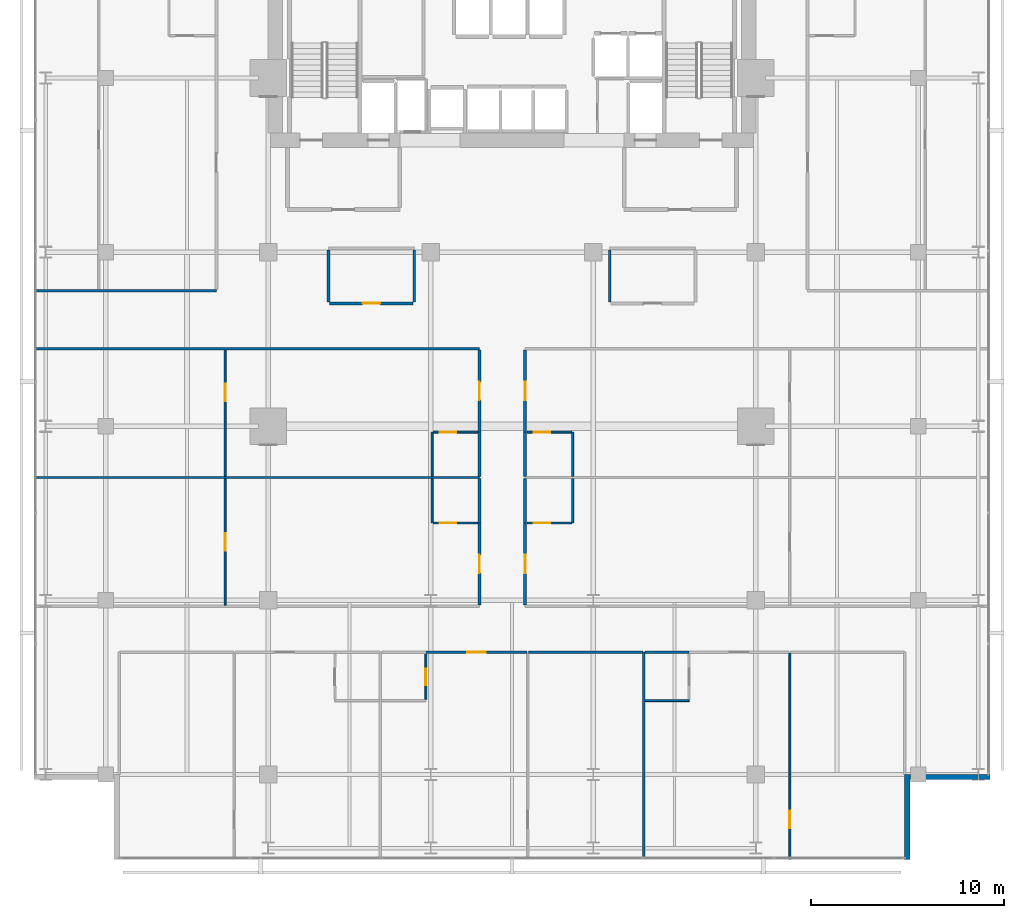
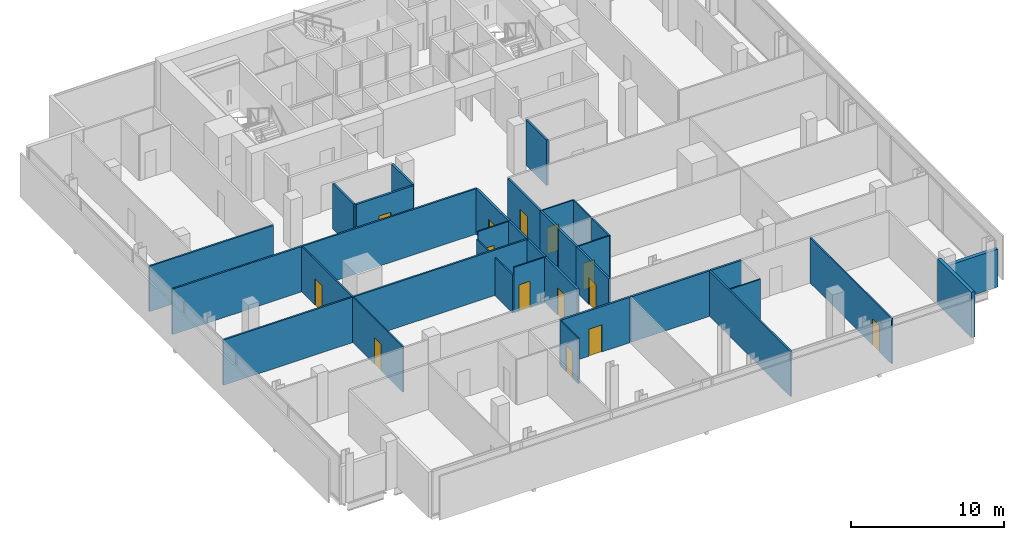
# One storey, part 27 of 32: 34 walls, 14 doors, 14 openings.
"""IFC4 building model written with IfcOpenShell, lengths in metres."""

from ifc_helpers import new_model, si_unit, direction, frame, frame_2d, origin, place, context, subcontext, project, spatial, rectangle, extrude, material, layer, layer_set, type_object, element, fill, save


model = new_model("IFC4")

# Units and contexts
model_context = context("Model", 3, precision=1e-05, world=origin(), true_north=direction((0.0, 1.0)))
body_context = subcontext(model_context, "Body", "Model", "MODEL_VIEW")
ifc_project = project(units=[si_unit("LENGTHUNIT", "METRE"), si_unit("AREAUNIT", "SQUARE_METRE"), si_unit("VOLUMEUNIT", "CUBIC_METRE"), si_unit("PLANEANGLEUNIT", "RADIAN"), si_unit("MASSUNIT", "GRAM", prefix="KILO")], contexts=[model_context])

# Site, building, storey
site_placement = place(None, origin())
site = spatial("IfcSite", under=ifc_project, at=site_placement, CompositionType="ELEMENT")
building_placement = place(site_placement, origin())
building = spatial("IfcBuilding", under=site, at=building_placement, Name="Maruvema Waterfront Hotel and Observation Tower", CompositionType="ELEMENT")
storey_placement = place(building_placement, frame((0.0, 0.0, 165.89990234375)))
storey = spatial("IfcBuildingStorey", under=building, at=storey_placement, Name="L40", CompositionType="ELEMENT", Elevation=165.89990234375)

# Walls
ifc_material_1 = material(Name="Twin-stud acoustic gypsum drywall", Category="gypsum")
ifc_layer_1 = layer(ifc_material_1, 0.14990234375, Name="Acoustic Corridor and Suite Demising Wall 150 mm")
ifc_layer_set_1 = layer_set([ifc_layer_1], Name="Twin-stud acoustic gypsum drywall")
wall_type_1 = type_object("IfcWallType", Name="Acoustic Corridor and Suite Demising Wall 150 mm", PredefinedType="PARTITIONING", material=ifc_layer_set_1)
for number, where, z_axis, x_axis, name in (
    (1, (28.320068359375, 33.429931640625, 0.0), (0.0, 0.0, 1.0), (0.0, 1.0, 0.0), "L40 L40-M1 West Wall 018"),
    (2, (32.75, 33.429931640625, 0.0), (0.0, 0.0, 1.0), (0.0, 1.0, 0.0), "L40 L40-M1 East Wall 019"),
):
    element("IfcWall", number, at=place(storey_placement, frame(where, z_axis=z_axis, x_axis=x_axis)), inside=storey, type_object=wall_type_1, Name=name, PredefinedType="PARTITIONING", context=body_context, shape_type="SweptSolid", body=[
        extrude(rectangle(XDim=2.690185546875, YDim=0.14990234375, at=frame_2d((1.34521484375, 0.0))), origin(), (0.0, 0.0, 1.0), 3.610107421875),
    ])

# Wall, opening, door
wall_1_placement = place(storey_placement, frame((28.3798828125, 33.35009765625, 0.0), z_axis=(0.0, 0.0, 1.0), x_axis=(1.0, 0.0, 0.0)))
wall_1 = element("IfcWall", 3, at=wall_1_placement, inside=storey, type_object=wall_type_1, Name="L40 L40-M1 Front 1 020", PredefinedType="PARTITIONING", context=body_context, shape_type="SweptSolid", body=[
    extrude(rectangle(XDim=4.31005859375, YDim=0.14990234375, at=frame_2d((2.155029296875, 0.0))), origin(), (0.0, 0.0, 1.0), 3.610107421875),
])
opening_1_placement = place(wall_1_placement, frame((1.705078125, 0.0, 0.0)))
opening_1 = element("IfcOpeningElement", 4, at=opening_1_placement, cuts=wall_1, Name="Opening DR-090", PredefinedType="OPENING", context=body_context, shape_type="SweptSolid", body=[
    extrude(rectangle(XDim=0.89990234375, YDim=2.10009765625, at=frame_2d((0.449951171875, 1.050048828125))), frame((0.0, 0.0849609375, 0.0), z_axis=(0.0, -1.0, 0.0), x_axis=(1.0, 0.0, 0.0)), (0.0, 0.0, 1.0), 0.169921875),
])
ifc_material_2 = material(Name="Solid-core lacquered timber leaf", Category="wood")
door_type_1 = type_object("IfcDoorType", Name="Accessible Toilet and Room Door 900x2100 mm", OperationType="NOTDEFINED", PredefinedType="DOOR", material=ifc_material_2)
door_1_placement = place(opening_1_placement, frame((0.89990234375, 0.0, 0.0), z_axis=(0.0, 0.0, 1.0), x_axis=(-1.0, 0.0, 0.0)))
door_1 = element("IfcDoor", 5, at=door_1_placement, inside=storey, type_object=door_type_1, Name="L40 Chef Kitchen 1 Door", OperationType="SINGLE_SWING_LEFT", OverallHeight=2.10009765625, OverallWidth=0.89990234375, PredefinedType="DOOR", context=body_context, shape_type="SweptSolid", body=[
    extrude(rectangle(XDim=0.89990234375, YDim=2.10009765625, at=frame_2d((0.449951171875, 1.050048828125))), frame((0.0, 0.02490234375, 0.0), z_axis=(0.0, -1.0, 0.0), x_axis=(1.0, 0.0, 0.0)), (0.0, 0.0, 1.0), 0.050048828125),
])
fill(opening_1, door_1)

# Wall
wall_2_placement = place(storey_placement, frame((42.85009765625, 33.429931640625, 0.0), z_axis=(0.0, 0.0, 1.0), x_axis=(0.0, 1.0, 0.0)))
element("IfcWall", 6, at=wall_2_placement, inside=storey, type_object=wall_type_1, Name="L40 L40-M2 West Wall 022", PredefinedType="PARTITIONING", context=body_context, shape_type="SweptSolid", body=[
    extrude(rectangle(XDim=2.690185546875, YDim=0.14990234375, at=frame_2d((1.34521484375, 0.0))), origin(), (0.0, 0.0, 1.0), 3.610107421875),
])

# Wall, opening, door
wall_3_placement = place(storey_placement, frame((33.35009765625, 15.320068359375, 0.0), z_axis=(0.0, 0.0, 1.0), x_axis=(1.0, 0.0, 0.0)))
wall_3 = element("IfcWall", 7, at=wall_3_placement, inside=storey, type_object=wall_type_1, Name="L40 Unit L40-S2 Corridor Wall 037", PredefinedType="PARTITIONING", context=body_context, shape_type="SweptSolid", body=[
    extrude(rectangle(XDim=5.225830078125, YDim=0.14990234375, at=frame_2d((2.61279296875, 0.0))), origin(), (0.0, 0.0, 1.0), 3.610107421875),
])
opening_2_placement = place(wall_3_placement, frame((2.137939453125, 0.0, 0.0)))
opening_2 = element("IfcOpeningElement", 8, at=opening_2_placement, cuts=wall_3, Name="Opening DR-095", PredefinedType="OPENING", context=body_context, shape_type="SweptSolid", body=[
    extrude(rectangle(XDim=0.949951171875, YDim=2.14990234375, at=frame_2d((0.47509765625, 1.074951171875))), frame((0.0, 0.0849609375, 0.0), z_axis=(0.0, -1.0, 0.0), x_axis=(1.0, 0.0, 0.0)), (0.0, 0.0, 1.0), 0.169921875),
])
ifc_material_3 = material(Name="Acoustic solid-core hardwood timber leaf", Category="wood")
door_type_2 = type_object("IfcDoorType", Name="Guestroom Entrance Fire Door 950x2150 mm", OperationType="NOTDEFINED", PredefinedType="DOOR", material=ifc_material_3)
door_2_placement = place(opening_2_placement, frame((0.949951171875, 0.0, 0.0), z_axis=(0.0, 0.0, 1.0), x_axis=(-1.0, 0.0, 0.0)))
door_2 = element("IfcDoor", 9, at=door_2_placement, inside=storey, type_object=door_type_2, Name="L40 Unit L40-S2 Entrance Door", OperationType="SINGLE_SWING_LEFT", OverallHeight=2.14990234375, OverallWidth=0.949951171875, PredefinedType="DOOR", context=body_context, shape_type="SweptSolid", body=[
    extrude(rectangle(XDim=0.949951171875, YDim=2.14990234375, at=frame_2d((0.47509765625, 1.074951171875))), frame((0.0, 0.02490234375, 0.0), z_axis=(0.0, -1.0, 0.0), x_axis=(1.0, 0.0, 0.0)), (0.0, 0.0, 1.0), 0.050048828125),
])
fill(opening_2, door_2)

# Walls
wall_4_placement = place(storey_placement, frame((38.656005859375, 15.320068359375, 0.0), z_axis=(0.0, 0.0, 1.0), x_axis=(1.0, 0.0, 0.0)))
element("IfcWall", 10, at=wall_4_placement, inside=storey, type_object=wall_type_1, Name="L40 Bedroom L40-S2 Back Wall 038", PredefinedType="PARTITIONING", context=body_context, shape_type="SweptSolid", body=[
    extrude(rectangle(XDim=5.924072265625, YDim=0.14990234375, at=frame_2d((2.9619140625, 0.0))), origin(), (0.0, 0.0, 1.0), 3.610107421875),
])
wall_5_placement = place(storey_placement, frame((44.679931640625, 15.320068359375, 0.0), z_axis=(0.0, 0.0, 1.0), x_axis=(1.0, 0.0, 0.0)))
element("IfcWall", 11, at=wall_5_placement, inside=storey, type_object=wall_type_1, Name="L40 Bath L40-S3 Back Wall 041", PredefinedType="PARTITIONING", context=body_context, shape_type="SweptSolid", body=[
    extrude(rectangle(XDim=2.27001953125, YDim=0.14990234375, at=frame_2d((1.135009765625, 0.0))), origin(), (0.0, 0.0, 1.0), 3.610107421875),
])

# Wall, opening, door
wall_6_placement = place(storey_placement, frame((36.1201171875, 17.760009765625, 0.0), z_axis=(0.0, 0.0, 1.0), x_axis=(0.0, 1.0, 0.0)))
wall_6 = element("IfcWall", 12, at=wall_6_placement, inside=storey, type_object=wall_type_1, Name="L40 Room L40-W1 Corridor Wall 051", PredefinedType="PARTITIONING", context=body_context, shape_type="SweptSolid", body=[
    extrude(rectangle(XDim=4.239990234375, YDim=0.14990234375, at=frame_2d((2.1201171875, 0.0))), origin(), (0.0, 0.0, 1.0), 3.610107421875),
])
opening_3_placement = place(wall_6_placement, frame((1.64501953125, 0.0, 0.0)))
opening_3 = element("IfcOpeningElement", 13, at=opening_3_placement, cuts=wall_6, Name="Opening DR-095", PredefinedType="OPENING", context=body_context, shape_type="SweptSolid", body=[
    extrude(rectangle(XDim=0.949951171875, YDim=2.14990234375, at=frame_2d((0.47509765625, 1.074951171875))), frame((0.0, 0.0849609375, 0.0), z_axis=(0.0, -1.0, 0.0), x_axis=(1.0, 0.0, 0.0)), (0.0, 0.0, 1.0), 0.169921875),
])
door_3_placement = place(opening_3_placement, origin())
door_3 = element("IfcDoor", 14, at=door_3_placement, inside=storey, type_object=door_type_2, Name="L40 Room L40-W1 Entrance Door", OperationType="SINGLE_SWING_LEFT", OverallHeight=2.14990234375, OverallWidth=0.949951171875, PredefinedType="DOOR", context=body_context, shape_type="SweptSolid", body=[
    extrude(rectangle(XDim=0.949951171875, YDim=2.14990234375, at=frame_2d((0.47509765625, 1.074951171875))), frame((0.0, 0.02490234375, 0.0), z_axis=(0.0, -1.0, 0.0), x_axis=(1.0, 0.0, 0.0)), (0.0, 0.0, 1.0), 0.050048828125),
])
fill(opening_3, door_3)

# Wall
wall_7_placement = place(storey_placement, frame((36.1201171875, 22.0, 0.0), z_axis=(0.0, 0.0, 1.0), x_axis=(0.0, 1.0, 0.0)))
element("IfcWall", 15, at=wall_7_placement, inside=storey, type_object=wall_type_1, Name="L40 Bath L40-W1 Wall 052", PredefinedType="PARTITIONING", context=body_context, shape_type="SweptSolid", body=[
    extrude(rectangle(XDim=2.2900390625, YDim=0.14990234375, at=frame_2d((1.14501953125, 0.0))), origin(), (0.0, 0.0, 1.0), 3.610107421875),
])

# Wall, opening, door
wall_8_placement = place(storey_placement, frame((38.47998046875, 17.760009765625, 0.0), z_axis=(0.0, 0.0, 1.0), x_axis=(0.0, 1.0, 0.0)))
wall_8 = element("IfcWall", 16, at=wall_8_placement, inside=storey, type_object=wall_type_1, Name="L40 Room L40-E1 Corridor Wall 056", PredefinedType="PARTITIONING", context=body_context, shape_type="SweptSolid", body=[
    extrude(rectangle(XDim=4.239990234375, YDim=0.14990234375, at=frame_2d((2.1201171875, 0.0))), origin(), (0.0, 0.0, 1.0), 3.610107421875),
])
opening_4_placement = place(wall_8_placement, frame((1.64501953125, 0.0, 0.0)))
opening_4 = element("IfcOpeningElement", 17, at=opening_4_placement, cuts=wall_8, Name="Opening DR-095", PredefinedType="OPENING", context=body_context, shape_type="SweptSolid", body=[
    extrude(rectangle(XDim=0.949951171875, YDim=2.14990234375, at=frame_2d((0.47509765625, 1.074951171875))), frame((0.0, 0.0849609375, 0.0), z_axis=(0.0, -1.0, 0.0), x_axis=(1.0, 0.0, 0.0)), (0.0, 0.0, 1.0), 0.169921875),
])
door_4_placement = place(opening_4_placement, frame((0.949951171875, 0.0, 0.0), z_axis=(0.0, 0.0, 1.0), x_axis=(-1.0, 0.0, 0.0)))
door_4 = element("IfcDoor", 18, at=door_4_placement, inside=storey, type_object=door_type_2, Name="L40 Room L40-E1 Entrance Door", OperationType="SINGLE_SWING_RIGHT", OverallHeight=2.14990234375, OverallWidth=0.949951171875, PredefinedType="DOOR", context=body_context, shape_type="SweptSolid", body=[
    extrude(rectangle(XDim=0.949951171875, YDim=2.14990234375, at=frame_2d((0.47509765625, 1.074951171875))), frame((0.0, 0.02490234375, 0.0), z_axis=(0.0, -1.0, 0.0), x_axis=(1.0, 0.0, 0.0)), (0.0, 0.0, 1.0), 0.050048828125),
])
fill(opening_4, door_4)

# Walls
for number, where, z_axis, x_axis, name in (
    (19, (38.47998046875, 22.0, 0.0), (0.0, 0.0, 1.0), (0.0, 1.0, 0.0), "L40 Bath L40-E1 Wall 057"),
    (20, (36.1201171875, 24.409912109375, 0.0), (0.0, 0.0, 1.0), (0.0, 1.0, 0.0), "L40 Bath L40-W2 Wall 063"),
):
    element("IfcWall", number, at=place(storey_placement, frame(where, z_axis=z_axis, x_axis=x_axis)), inside=storey, type_object=wall_type_1, Name=name, PredefinedType="PARTITIONING", context=body_context, shape_type="SweptSolid", body=[
        extrude(rectangle(XDim=2.2900390625, YDim=0.14990234375, at=frame_2d((1.14501953125, 0.0))), origin(), (0.0, 0.0, 1.0), 3.610107421875),
    ])

# Wall, opening, door
wall_9_placement = place(storey_placement, frame((36.1201171875, 26.699951171875, 0.0), z_axis=(0.0, 0.0, 1.0), x_axis=(0.0, 1.0, 0.0)))
wall_9 = element("IfcWall", 21, at=wall_9_placement, inside=storey, type_object=wall_type_1, Name="L40 Room L40-W2 Corridor Wall 064", PredefinedType="PARTITIONING", context=body_context, shape_type="SweptSolid", body=[
    extrude(rectangle(XDim=4.239990234375, YDim=0.14990234375, at=frame_2d((2.1201171875, 0.0))), origin(), (0.0, 0.0, 1.0), 3.610107421875),
])
opening_5_placement = place(wall_9_placement, frame((1.64501953125, 0.0, 0.0)))
opening_5 = element("IfcOpeningElement", 22, at=opening_5_placement, cuts=wall_9, Name="Opening DR-095", PredefinedType="OPENING", context=body_context, shape_type="SweptSolid", body=[
    extrude(rectangle(XDim=0.949951171875, YDim=2.14990234375, at=frame_2d((0.47509765625, 1.074951171875))), frame((0.0, 0.0849609375, 0.0), z_axis=(0.0, -1.0, 0.0), x_axis=(1.0, 0.0, 0.0)), (0.0, 0.0, 1.0), 0.169921875),
])
door_5_placement = place(opening_5_placement, origin())
door_5 = element("IfcDoor", 23, at=door_5_placement, inside=storey, type_object=door_type_2, Name="L40 Room L40-W2 Entrance Door", OperationType="SINGLE_SWING_LEFT", OverallHeight=2.14990234375, OverallWidth=0.949951171875, PredefinedType="DOOR", context=body_context, shape_type="SweptSolid", body=[
    extrude(rectangle(XDim=0.949951171875, YDim=2.14990234375, at=frame_2d((0.47509765625, 1.074951171875))), frame((0.0, 0.02490234375, 0.0), z_axis=(0.0, -1.0, 0.0), x_axis=(1.0, 0.0, 0.0)), (0.0, 0.0, 1.0), 0.050048828125),
])
fill(opening_5, door_5)

# Wall
wall_10_placement = place(storey_placement, frame((38.47998046875, 24.409912109375, 0.0), z_axis=(0.0, 0.0, 1.0), x_axis=(0.0, 1.0, 0.0)))
element("IfcWall", 24, at=wall_10_placement, inside=storey, type_object=wall_type_1, Name="L40 Bath L40-E2 Wall 068", PredefinedType="PARTITIONING", context=body_context, shape_type="SweptSolid", body=[
    extrude(rectangle(XDim=2.2900390625, YDim=0.14990234375, at=frame_2d((1.14501953125, 0.0))), origin(), (0.0, 0.0, 1.0), 3.610107421875),
])

# Wall, opening, door
wall_11_placement = place(storey_placement, frame((38.47998046875, 26.699951171875, 0.0), z_axis=(0.0, 0.0, 1.0), x_axis=(0.0, 1.0, 0.0)))
wall_11 = element("IfcWall", 25, at=wall_11_placement, inside=storey, type_object=wall_type_1, Name="L40 Room L40-E2 Corridor Wall 069", PredefinedType="PARTITIONING", context=body_context, shape_type="SweptSolid", body=[
    extrude(rectangle(XDim=4.239990234375, YDim=0.14990234375, at=frame_2d((2.1201171875, 0.0))), origin(), (0.0, 0.0, 1.0), 3.610107421875),
])
opening_6_placement = place(wall_11_placement, frame((1.64501953125, 0.0, 0.0)))
opening_6 = element("IfcOpeningElement", 26, at=opening_6_placement, cuts=wall_11, Name="Opening DR-095", PredefinedType="OPENING", context=body_context, shape_type="SweptSolid", body=[
    extrude(rectangle(XDim=0.949951171875, YDim=2.14990234375, at=frame_2d((0.47509765625, 1.074951171875))), frame((0.0, 0.0849609375, 0.0), z_axis=(0.0, -1.0, 0.0), x_axis=(1.0, 0.0, 0.0)), (0.0, 0.0, 1.0), 0.169921875),
])
door_6_placement = place(opening_6_placement, frame((0.949951171875, 0.0, 0.0), z_axis=(0.0, 0.0, 1.0), x_axis=(-1.0, 0.0, 0.0)))
door_6 = element("IfcDoor", 27, at=door_6_placement, inside=storey, type_object=door_type_2, Name="L40 Room L40-E2 Entrance Door", OperationType="SINGLE_SWING_RIGHT", OverallHeight=2.14990234375, OverallWidth=0.949951171875, PredefinedType="DOOR", context=body_context, shape_type="SweptSolid", body=[
    extrude(rectangle(XDim=0.949951171875, YDim=2.14990234375, at=frame_2d((0.47509765625, 1.074951171875))), frame((0.0, 0.02490234375, 0.0), z_axis=(0.0, -1.0, 0.0), x_axis=(1.0, 0.0, 0.0)), (0.0, 0.0, 1.0), 0.050048828125),
])
fill(opening_6, door_6)

ifc_material_4 = material(Name="Moisture-resistant cement-board drywall", Category="gypsum")
ifc_layer_2 = layer(ifc_material_4, 0.10009765625, Name="En-Suite Moisture-Resistant Partition 100 mm")
ifc_layer_set_2 = layer_set([ifc_layer_2], Name="Moisture-resistant cement-board drywall")
wall_type_2 = type_object("IfcWallType", Name="En-Suite Moisture-Resistant Partition 100 mm", PredefinedType="PARTITIONING", material=ifc_layer_set_2)
wall_12_placement = place(storey_placement, frame((33.35009765625, 12.8798828125, 0.0), z_axis=(0.0, 0.0, 1.0), x_axis=(0.0, 1.0, 0.0)))
wall_12 = element("IfcWall", 28, at=wall_12_placement, inside=storey, type_object=wall_type_2, Name="L40 En-Suite L40-S2 East 036", PredefinedType="PARTITIONING", context=body_context, shape_type="SweptSolid", body=[
    extrude(rectangle(XDim=2.340087890625, YDim=0.10009765625, at=frame_2d((1.169921875, 0.0))), origin(), (0.0, 0.0, 1.0), 3.610107421875),
])
opening_7_placement = place(wall_12_placement, frame((0.7451171875, 0.0, 0.0)))
opening_7 = element("IfcOpeningElement", 29, at=opening_7_placement, cuts=wall_12, Name="Opening DR-085", PredefinedType="OPENING", context=body_context, shape_type="SweptSolid", body=[
    extrude(rectangle(XDim=0.85009765625, YDim=2.10009765625, at=frame_2d((0.425048828125, 1.050048828125))), frame((0.0, 0.06005859375, 0.0), z_axis=(0.0, -1.0, 0.0), x_axis=(1.0, 0.0, 0.0)), (0.0, 0.0, 1.0), 0.1201171875),
])
ifc_material_5 = material(Name="Moisture-resistant solid timber leaf", Category="wood")
door_type_3 = type_object("IfcDoorType", Name="En-Suite Bathroom Door 850x2100 mm", OperationType="NOTDEFINED", PredefinedType="DOOR", material=ifc_material_5)
door_7_placement = place(opening_7_placement, frame((0.85009765625, 0.0, 0.0), z_axis=(0.0, 0.0, 1.0), x_axis=(-1.0, 0.0, 0.0)))
door_7 = element("IfcDoor", 30, at=door_7_placement, inside=storey, type_object=door_type_3, Name="L40 En-Suite L40-S2 Door", OperationType="SINGLE_SWING_RIGHT", OverallHeight=2.10009765625, OverallWidth=0.85009765625, PredefinedType="DOOR", context=body_context, shape_type="SweptSolid", body=[
    extrude(rectangle(XDim=0.85009765625, YDim=2.10009765625, at=frame_2d((0.425048828125, 1.050048828125))), frame((0.0, 0.02490234375, 0.0), z_axis=(0.0, -1.0, 0.0), x_axis=(1.0, 0.0, 0.0)), (0.0, 0.0, 1.0), 0.050048828125),
])
fill(opening_7, door_7)

# Wall
wall_13_placement = place(storey_placement, frame((44.679931640625, 12.820068359375, 0.0), z_axis=(0.0, 0.0, 1.0), x_axis=(1.0, 0.0, 0.0)))
element("IfcWall", 31, at=wall_13_placement, inside=storey, type_object=wall_type_2, Name="L40 En-Suite L40-S3 South 042", PredefinedType="PARTITIONING", context=body_context, shape_type="SweptSolid", body=[
    extrude(rectangle(XDim=2.27001953125, YDim=0.10009765625, at=frame_2d((1.135009765625, 0.0))), origin(), (0.0, 0.0, 1.0), 3.610107421875),
])

# Wall, opening, door
wall_14_placement = place(storey_placement, frame((52.159912109375, 4.6298828125, 0.0), z_axis=(0.0, 0.0, 1.0), x_axis=(0.0, 1.0, 0.0)))
wall_14 = element("IfcWall", 32, at=wall_14_placement, inside=storey, type_object=wall_type_2, Name="L40 Suite L40-S3 Split 046", PredefinedType="PARTITIONING", context=body_context, shape_type="SweptSolid", body=[
    extrude(rectangle(XDim=10.630126953125, YDim=0.10009765625, at=frame_2d((5.31494140625, 0.0))), origin(), (0.0, 0.0, 1.0), 3.610107421875),
])
opening_8_placement = place(wall_14_placement, frame((1.60009765625, 0.0, 0.0)))
opening_8 = element("IfcOpeningElement", 33, at=opening_8_placement, cuts=wall_14, Name="Opening DR-090", PredefinedType="OPENING", context=body_context, shape_type="SweptSolid", body=[
    extrude(rectangle(XDim=0.89990234375, YDim=2.10009765625, at=frame_2d((0.449951171875, 1.050048828125))), frame((0.0, 0.06005859375, 0.0), z_axis=(0.0, -1.0, 0.0), x_axis=(1.0, 0.0, 0.0)), (0.0, 0.0, 1.0), 0.1201171875),
])
door_8_placement = place(opening_8_placement, origin())
door_8 = element("IfcDoor", 34, at=door_8_placement, inside=storey, type_object=door_type_1, Name="L40 Suite L40-S3 Bedroom Door", OperationType="SINGLE_SWING_LEFT", OverallHeight=2.10009765625, OverallWidth=0.89990234375, PredefinedType="DOOR", context=body_context, shape_type="SweptSolid", body=[
    extrude(rectangle(XDim=0.89990234375, YDim=2.10009765625, at=frame_2d((0.449951171875, 1.050048828125))), frame((0.0, 0.02490234375, 0.0), z_axis=(0.0, -1.0, 0.0), x_axis=(1.0, 0.0, 0.0)), (0.0, 0.0, 1.0), 0.050048828125),
])
fill(opening_8, door_8)

# Wall
wall_15_placement = place(storey_placement, frame((33.669921875, 22.0, 0.0), z_axis=(0.0, 0.0, 1.0), x_axis=(0.0, 1.0, 0.0)))
element("IfcWall", 35, at=wall_15_placement, inside=storey, type_object=wall_type_2, Name="L40 En-Suite L40-W1 W 053", PredefinedType="PARTITIONING", context=body_context, shape_type="SweptSolid", body=[
    extrude(rectangle(XDim=2.2900390625, YDim=0.10009765625, at=frame_2d((1.14501953125, 0.0))), origin(), (0.0, 0.0, 1.0), 3.007080078125),
])

# Wall, opening, door
wall_16_placement = place(storey_placement, frame((33.719970703125, 22.0, 0.0), z_axis=(0.0, 0.0, 1.0), x_axis=(1.0, 0.0, 0.0)))
wall_16 = element("IfcWall", 36, at=wall_16_placement, inside=storey, type_object=wall_type_2, Name="L40 En-Suite L40-W1 S 054", PredefinedType="PARTITIONING", context=body_context, shape_type="SweptSolid", body=[
    extrude(rectangle(XDim=2.300048828125, YDim=0.10009765625, at=frame_2d((1.14990234375, 0.0))), origin(), (0.0, 0.0, 1.0), 3.610107421875),
])
opening_9_placement = place(wall_16_placement, frame((0.35009765625, 0.0, 0.0)))
opening_9 = element("IfcOpeningElement", 37, at=opening_9_placement, cuts=wall_16, Name="Opening DR-085", PredefinedType="OPENING", context=body_context, shape_type="SweptSolid", body=[
    extrude(rectangle(XDim=0.85009765625, YDim=2.10009765625, at=frame_2d((0.425048828125, 1.050048828125))), frame((0.0, 0.06005859375, 0.0), z_axis=(0.0, -1.0, 0.0), x_axis=(1.0, 0.0, 0.0)), (0.0, 0.0, 1.0), 0.1201171875),
])
door_9_placement = place(opening_9_placement, frame((0.85009765625, 0.0, 0.0), z_axis=(0.0, 0.0, 1.0), x_axis=(-1.0, 0.0, 0.0)))
door_9 = element("IfcDoor", 38, at=door_9_placement, inside=storey, type_object=door_type_3, Name="L40 En-Suite L40-W1 Door", OperationType="SINGLE_SWING_RIGHT", OverallHeight=2.10009765625, OverallWidth=0.85009765625, PredefinedType="DOOR", context=body_context, shape_type="SweptSolid", body=[
    extrude(rectangle(XDim=0.85009765625, YDim=2.10009765625, at=frame_2d((0.425048828125, 1.050048828125))), frame((0.0, 0.02490234375, 0.0), z_axis=(0.0, -1.0, 0.0), x_axis=(1.0, 0.0, 0.0)), (0.0, 0.0, 1.0), 0.050048828125),
])
fill(opening_9, door_9)

wall_17_placement = place(storey_placement, frame((22.9736328125, 17.760009765625, 0.0), z_axis=(0.0, 0.0, 1.0), x_axis=(0.0, 1.0, 0.0)))
wall_17 = element("IfcWall", 39, at=wall_17_placement, inside=storey, type_object=wall_type_2, Name="L40 Suite L40-W1 Split 055", PredefinedType="PARTITIONING", context=body_context, shape_type="SweptSolid", body=[
    extrude(rectangle(XDim=6.530029296875, YDim=0.10009765625, at=frame_2d((3.26513671875, 0.0))), origin(), (0.0, 0.0, 1.0), 3.610107421875),
])
opening_10_placement = place(wall_17_placement, frame((2.81494140625, 0.0, 0.0)))
opening_10 = element("IfcOpeningElement", 40, at=opening_10_placement, cuts=wall_17, Name="Opening DR-090", PredefinedType="OPENING", context=body_context, shape_type="SweptSolid", body=[
    extrude(rectangle(XDim=0.89990234375, YDim=2.10009765625, at=frame_2d((0.449951171875, 1.050048828125))), frame((0.0, 0.06005859375, 0.0), z_axis=(0.0, -1.0, 0.0), x_axis=(1.0, 0.0, 0.0)), (0.0, 0.0, 1.0), 0.1201171875),
])
door_10_placement = place(opening_10_placement, origin())
door_10 = element("IfcDoor", 41, at=door_10_placement, inside=storey, type_object=door_type_1, Name="L40 Suite L40-W1 Bedroom Door", OperationType="SINGLE_SWING_RIGHT", OverallHeight=2.10009765625, OverallWidth=0.89990234375, PredefinedType="DOOR", context=body_context, shape_type="SweptSolid", body=[
    extrude(rectangle(XDim=0.89990234375, YDim=2.10009765625, at=frame_2d((0.449951171875, 1.050048828125))), frame((0.0, 0.02490234375, 0.0), z_axis=(0.0, -1.0, 0.0), x_axis=(1.0, 0.0, 0.0)), (0.0, 0.0, 1.0), 0.050048828125),
])
fill(opening_10, door_10)

# Wall
wall_18_placement = place(storey_placement, frame((40.929931640625, 22.0, 0.0), z_axis=(0.0, 0.0, 1.0), x_axis=(0.0, 1.0, 0.0)))
element("IfcWall", 42, at=wall_18_placement, inside=storey, type_object=wall_type_2, Name="L40 En-Suite L40-E1 E 058", PredefinedType="PARTITIONING", context=body_context, shape_type="SweptSolid", body=[
    extrude(rectangle(XDim=2.2900390625, YDim=0.10009765625, at=frame_2d((1.14501953125, 0.0))), origin(), (0.0, 0.0, 1.0), 3.610107421875),
])

# Wall, opening, door
wall_19_placement = place(storey_placement, frame((38.580078125, 22.0, 0.0), z_axis=(0.0, 0.0, 1.0), x_axis=(1.0, 0.0, 0.0)))
wall_19 = element("IfcWall", 43, at=wall_19_placement, inside=storey, type_object=wall_type_2, Name="L40 En-Suite L40-E1 S 059", PredefinedType="PARTITIONING", context=body_context, shape_type="SweptSolid", body=[
    extrude(rectangle(XDim=2.2998046875, YDim=0.10009765625, at=frame_2d((1.14990234375, 0.0))), origin(), (0.0, 0.0, 1.0), 3.610107421875),
])
opening_11_placement = place(wall_19_placement, frame((0.35009765625, 0.0, 0.0)))
opening_11 = element("IfcOpeningElement", 44, at=opening_11_placement, cuts=wall_19, Name="Opening DR-085", PredefinedType="OPENING", context=body_context, shape_type="SweptSolid", body=[
    extrude(rectangle(XDim=0.85009765625, YDim=2.10009765625, at=frame_2d((0.425048828125, 1.050048828125))), frame((0.0, 0.06005859375, 0.0), z_axis=(0.0, -1.0, 0.0), x_axis=(1.0, 0.0, 0.0)), (0.0, 0.0, 1.0), 0.1201171875),
])
door_11_placement = place(opening_11_placement, frame((0.85009765625, 0.0, 0.0), z_axis=(0.0, 0.0, 1.0), x_axis=(-1.0, 0.0, 0.0)))
door_11 = element("IfcDoor", 45, at=door_11_placement, inside=storey, type_object=door_type_3, Name="L40 En-Suite L40-E1 Door", OperationType="SINGLE_SWING_LEFT", OverallHeight=2.10009765625, OverallWidth=0.85009765625, PredefinedType="DOOR", context=body_context, shape_type="SweptSolid", body=[
    extrude(rectangle(XDim=0.85009765625, YDim=2.10009765625, at=frame_2d((0.425048828125, 1.050048828125))), frame((0.0, 0.02490234375, 0.0), z_axis=(0.0, -1.0, 0.0), x_axis=(1.0, 0.0, 0.0)), (0.0, 0.0, 1.0), 0.050048828125),
])
fill(opening_11, door_11)

# Wall
wall_20_placement = place(storey_placement, frame((33.669921875, 24.409912109375, 0.0), z_axis=(0.0, 0.0, 1.0), x_axis=(0.0, 1.0, 0.0)))
element("IfcWall", 46, at=wall_20_placement, inside=storey, type_object=wall_type_2, Name="L40 En-Suite L40-W2 W 065", PredefinedType="PARTITIONING", context=body_context, shape_type="SweptSolid", body=[
    extrude(rectangle(XDim=2.2900390625, YDim=0.10009765625, at=frame_2d((1.14501953125, 0.0))), origin(), (0.0, 0.0, 1.0), 3.007080078125),
])

# Wall, opening, door
wall_21_placement = place(storey_placement, frame((33.719970703125, 26.699951171875, 0.0), z_axis=(0.0, 0.0, 1.0), x_axis=(1.0, 0.0, 0.0)))
wall_21 = element("IfcWall", 47, at=wall_21_placement, inside=storey, type_object=wall_type_2, Name="L40 En-Suite L40-W2 N 066", PredefinedType="PARTITIONING", context=body_context, shape_type="SweptSolid", body=[
    extrude(rectangle(XDim=2.300048828125, YDim=0.10009765625, at=frame_2d((1.14990234375, 0.0))), origin(), (0.0, 0.0, 1.0), 3.610107421875),
])
opening_12_placement = place(wall_21_placement, frame((0.35009765625, 0.0, 0.0)))
opening_12 = element("IfcOpeningElement", 48, at=opening_12_placement, cuts=wall_21, Name="Opening DR-085", PredefinedType="OPENING", context=body_context, shape_type="SweptSolid", body=[
    extrude(rectangle(XDim=0.85009765625, YDim=2.10009765625, at=frame_2d((0.425048828125, 1.050048828125))), frame((0.0, 0.06005859375, 0.0), z_axis=(0.0, -1.0, 0.0), x_axis=(1.0, 0.0, 0.0)), (0.0, 0.0, 1.0), 0.1201171875),
])
door_12_placement = place(opening_12_placement, origin())
door_12 = element("IfcDoor", 49, at=door_12_placement, inside=storey, type_object=door_type_3, Name="L40 En-Suite L40-W2 Door", OperationType="SINGLE_SWING_RIGHT", OverallHeight=2.10009765625, OverallWidth=0.85009765625, PredefinedType="DOOR", context=body_context, shape_type="SweptSolid", body=[
    extrude(rectangle(XDim=0.85009765625, YDim=2.10009765625, at=frame_2d((0.425048828125, 1.050048828125))), frame((0.0, 0.02490234375, 0.0), z_axis=(0.0, -1.0, 0.0), x_axis=(1.0, 0.0, 0.0)), (0.0, 0.0, 1.0), 0.050048828125),
])
fill(opening_12, door_12)

wall_22_placement = place(storey_placement, frame((22.9736328125, 24.409912109375, 0.0), z_axis=(0.0, 0.0, 1.0), x_axis=(0.0, 1.0, 0.0)))
wall_22 = element("IfcWall", 50, at=wall_22_placement, inside=storey, type_object=wall_type_2, Name="L40 Suite L40-W2 Split 067", PredefinedType="PARTITIONING", context=body_context, shape_type="SweptSolid", body=[
    extrude(rectangle(XDim=6.530029296875, YDim=0.10009765625, at=frame_2d((3.26513671875, 0.0))), origin(), (0.0, 0.0, 1.0), 3.610107421875),
])
opening_13_placement = place(wall_22_placement, frame((3.89501953125, 0.0, 0.0)))
opening_13 = element("IfcOpeningElement", 51, at=opening_13_placement, cuts=wall_22, Name="Opening DR-090", PredefinedType="OPENING", context=body_context, shape_type="SweptSolid", body=[
    extrude(rectangle(XDim=0.89990234375, YDim=2.10009765625, at=frame_2d((0.449951171875, 1.050048828125))), frame((0.0, 0.06005859375, 0.0), z_axis=(0.0, -1.0, 0.0), x_axis=(1.0, 0.0, 0.0)), (0.0, 0.0, 1.0), 0.1201171875),
])
door_13_placement = place(opening_13_placement, origin())
door_13 = element("IfcDoor", 52, at=door_13_placement, inside=storey, type_object=door_type_1, Name="L40 Suite L40-W2 Bedroom Door", OperationType="SINGLE_SWING_RIGHT", OverallHeight=2.10009765625, OverallWidth=0.89990234375, PredefinedType="DOOR", context=body_context, shape_type="SweptSolid", body=[
    extrude(rectangle(XDim=0.89990234375, YDim=2.10009765625, at=frame_2d((0.449951171875, 1.050048828125))), frame((0.0, 0.02490234375, 0.0), z_axis=(0.0, -1.0, 0.0), x_axis=(1.0, 0.0, 0.0)), (0.0, 0.0, 1.0), 0.050048828125),
])
fill(opening_13, door_13)

# Wall
wall_23_placement = place(storey_placement, frame((40.929931640625, 24.409912109375, 0.0), z_axis=(0.0, 0.0, 1.0), x_axis=(0.0, 1.0, 0.0)))
element("IfcWall", 53, at=wall_23_placement, inside=storey, type_object=wall_type_2, Name="L40 En-Suite L40-E2 E 070", PredefinedType="PARTITIONING", context=body_context, shape_type="SweptSolid", body=[
    extrude(rectangle(XDim=2.2900390625, YDim=0.10009765625, at=frame_2d((1.14501953125, 0.0))), origin(), (0.0, 0.0, 1.0), 3.610107421875),
])

# Wall, opening, door
wall_24_placement = place(storey_placement, frame((38.580078125, 26.699951171875, 0.0), z_axis=(0.0, 0.0, 1.0), x_axis=(1.0, 0.0, 0.0)))
wall_24 = element("IfcWall", 54, at=wall_24_placement, inside=storey, type_object=wall_type_2, Name="L40 En-Suite L40-E2 N 071", PredefinedType="PARTITIONING", context=body_context, shape_type="SweptSolid", body=[
    extrude(rectangle(XDim=2.2998046875, YDim=0.10009765625, at=frame_2d((1.14990234375, 0.0))), origin(), (0.0, 0.0, 1.0), 3.610107421875),
])
opening_14_placement = place(wall_24_placement, frame((0.35009765625, 0.0, 0.0)))
opening_14 = element("IfcOpeningElement", 55, at=opening_14_placement, cuts=wall_24, Name="Opening DR-085", PredefinedType="OPENING", context=body_context, shape_type="SweptSolid", body=[
    extrude(rectangle(XDim=0.85009765625, YDim=2.10009765625, at=frame_2d((0.425048828125, 1.050048828125))), frame((0.0, 0.06005859375, 0.0), z_axis=(0.0, -1.0, 0.0), x_axis=(1.0, 0.0, 0.0)), (0.0, 0.0, 1.0), 0.1201171875),
])
door_14_placement = place(opening_14_placement, origin())
door_14 = element("IfcDoor", 56, at=door_14_placement, inside=storey, type_object=door_type_3, Name="L40 En-Suite L40-E2 Door", OperationType="SINGLE_SWING_LEFT", OverallHeight=2.10009765625, OverallWidth=0.85009765625, PredefinedType="DOOR", context=body_context, shape_type="SweptSolid", body=[
    extrude(rectangle(XDim=0.85009765625, YDim=2.10009765625, at=frame_2d((0.425048828125, 1.050048828125))), frame((0.0, 0.02490234375, 0.0), z_axis=(0.0, -1.0, 0.0), x_axis=(1.0, 0.0, 0.0)), (0.0, 0.0, 1.0), 0.050048828125),
])
fill(opening_14, door_14)

# Walls
ifc_material_6 = material(Name="Precast concrete C45/55 with honed Pernambuco granite facing", Category="masonry")
ifc_layer_3 = layer(ifc_material_6, 0.260009765625, Name="Exterior Granite Clad Spandrel and Pier Wall 260 mm")
ifc_layer_set_3 = layer_set([ifc_layer_3], Name="Precast concrete C45/55 with honed Pernambuco granite facing")
wall_type_3 = type_object("IfcWallType", Name="Exterior Granite Clad Spandrel and Pier Wall 260 mm", PredefinedType="SOLIDWALL", material=ifc_layer_set_3)
wall_25_placement = place(storey_placement, frame((58.22998046875, 9.0, 0.0), z_axis=(0.0, 0.0, 1.0), x_axis=(0.0, -1.0, 0.0)))
element("IfcWall", 57, at=wall_25_placement, inside=storey, type_object=wall_type_3, Name="L40 Corner Notch Granite Pier Wall SE1", PredefinedType="SOLIDWALL", context=body_context, shape_type="SweptSolid", body=[
    extrude(rectangle(XDim=4.39990234375, YDim=0.260009765625, at=frame_2d((2.199951171875, 0.0))), origin(), (0.0, 0.0, 1.0), 3.610107421875),
])
wall_26_placement = place(storey_placement, frame((62.5, 8.8701171875, 0.0), z_axis=(0.0, 0.0, 1.0), x_axis=(-1.0, 0.0, 0.0)))
element("IfcWall", 58, at=wall_26_placement, inside=storey, type_object=wall_type_3, Name="L40 Corner Notch Granite Pier Wall SE2", PredefinedType="SOLIDWALL", context=body_context, shape_type="SweptSolid", body=[
    extrude(rectangle(XDim=4.39990234375, YDim=0.260009765625, at=frame_2d((2.199951171875, 0.0))), origin(), (0.0, 0.0, 1.0), 3.007080078125),
])
ifc_material_7 = material(Name="Acoustic gypsum plasterboard drywall", Category="gypsum")
ifc_layer_4 = layer(ifc_material_7, 0.125, Name="Guestroom Acoustic Demising Wall 125 mm")
ifc_layer_set_4 = layer_set([ifc_layer_4], Name="Acoustic gypsum plasterboard drywall")
wall_type_4 = type_object("IfcWallType", Name="Guestroom Acoustic Demising Wall 125 mm", PredefinedType="PARTITIONING", material=ifc_layer_set_4)
wall_27_placement = place(storey_placement, frame((44.60009765625, 4.699951171875, 0.0), z_axis=(0.0, 0.0, 1.0), x_axis=(0.0, 1.0, 0.0)))
element("IfcWall", 59, at=wall_27_placement, inside=storey, type_object=wall_type_4, Name="L40 Z2 S Demising 3 040", PredefinedType="PARTITIONING", context=body_context, shape_type="SweptSolid", body=[
    extrude(rectangle(XDim=10.6201171875, YDim=0.125, at=frame_2d((5.31005859375, 0.0))), origin(), (0.0, 0.0, 1.0), 3.610107421875),
])
for number, where, z_axis, x_axis, name in (
    (60, (13.199951171875, 31.0, 0.0), (0.0, 0.0, 1.0), (1.0, 0.0, 0.0), "L40 Z2 W Top End 049"),
    (61, (13.199951171875, 24.35009765625, 0.0), (0.0, 0.0, 1.0), (1.0, 0.0, 0.0), "L40 Z2 W Demising 2 061"),
):
    element("IfcWall", number, at=place(storey_placement, frame(where, z_axis=z_axis, x_axis=x_axis)), inside=storey, type_object=wall_type_4, Name=name, PredefinedType="PARTITIONING", context=body_context, shape_type="SweptSolid", body=[
        extrude(rectangle(XDim=22.920166015625, YDim=0.125, at=frame_2d((11.4599609375, 0.0))), origin(), (0.0, 0.0, 1.0), 3.610107421875),
    ])
wall_28_placement = place(storey_placement, frame((13.199951171875, 34.0, 0.0), z_axis=(0.0, 0.0, 1.0), x_axis=(1.0, 0.0, 0.0)))
element("IfcWall", 62, at=wall_28_placement, inside=storey, type_object=wall_type_4, Name="L40 Z2 NW Bot End 073", PredefinedType="PARTITIONING", context=body_context, shape_type="SweptSolid", body=[
    extrude(rectangle(XDim=9.320068359375, YDim=0.125, at=frame_2d((4.66015625, 0.0))), origin(), (0.0, 0.0, 1.0), 3.610107421875),
])

save(model, "model.ifc")
